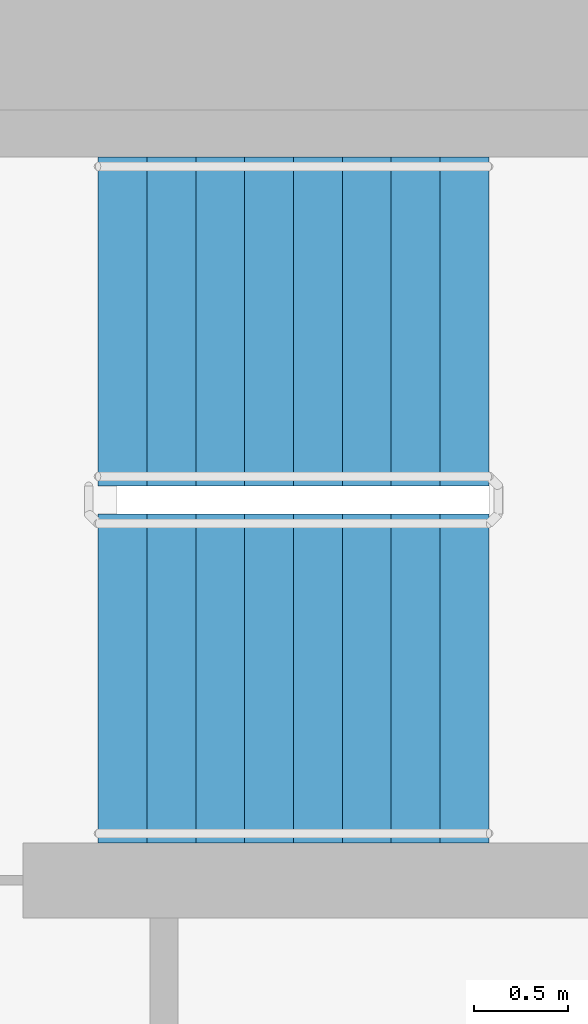
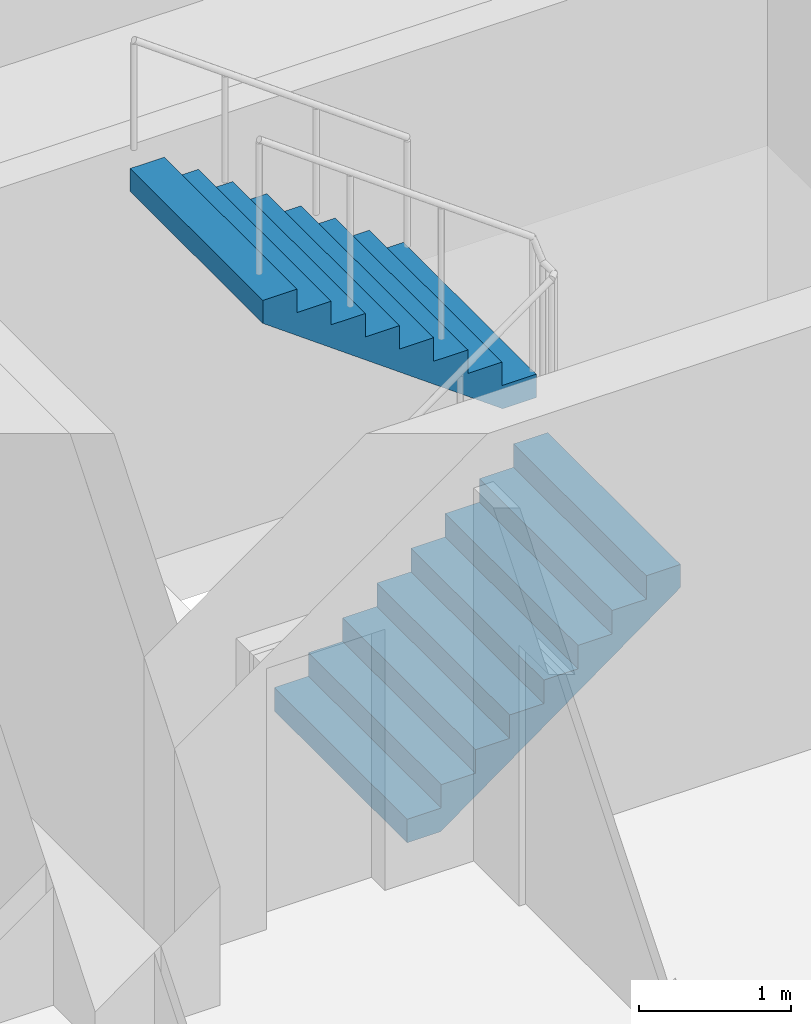
# One storey, part 16 of 21: 2 stair flights, 1 element without a shape of its own.
"""IFC4 building model written with IfcOpenShell, lengths in metres."""

from ifc_helpers import new_model, si_unit, direction, frame, origin, place, context, subcontext, project, spatial, faceted_brep, material, type_object, element, aggregate, save


model = new_model("IFC4")

# Units and contexts
model_context = context("Model", 3, precision=1e-05, world=origin(), true_north=direction((0.0, 1.0)))
body_context = subcontext(model_context, "Body", "Model", "MODEL_VIEW")
ifc_project = project(units=[si_unit("LENGTHUNIT", "METRE"), si_unit("AREAUNIT", "SQUARE_METRE"), si_unit("VOLUMEUNIT", "CUBIC_METRE"), si_unit("PLANEANGLEUNIT", "RADIAN"), si_unit("MASSUNIT", "GRAM", prefix="KILO")], contexts=[model_context])

# Site, building, storey
site_placement = place(None, origin())
site = spatial("IfcSite", under=ifc_project, at=site_placement, CompositionType="ELEMENT")
building_placement = place(site_placement, origin())
building = spatial("IfcBuilding", under=site, at=building_placement, Name="Ipe Terrace Towers", CompositionType="ELEMENT")
storey_placement = place(building_placement, frame((0.0, 0.0, 80.0)))
storey = spatial("IfcBuildingStorey", under=building, at=storey_placement, Name="L21", CompositionType="ELEMENT", Elevation=80.0)

# Stair, stair flights
ifc_material_1 = material(Name="Concrete C30/37", Category="concrete")
stair_type = type_object("IfcStairType", Name="Protected exit stair", PredefinedType="HALF_TURN_STAIR", material=ifc_material_1)
stair_placement = place(storey_placement, origin())
stair = element("IfcStair", 1, at=stair_placement, inside=storey, type_object=stair_type, Name="L21 Exit stair T1-C1", PredefinedType="HALF_TURN_STAIR")
ifc_material_2 = material(Name="Concrete C30/37", Category="concrete")
stair_flight_type = type_object("IfcStairFlightType", Name="Exit stair flight 1750", PredefinedType="STRAIGHT", material=ifc_material_2)
stair_flight_1_placement = place(storey_placement, frame((-26.300048828125, 2.77490234375, 0.0), z_axis=(0.0, 0.0, 1.0), x_axis=(1.0, 0.0, 0.0)))
stair_flight_1 = element("IfcStairFlight", 2, at=stair_flight_1_placement, type_object=stair_flight_type, Name="T1-ST1 flight 1", NumberOfRisers=9, NumberOfTreads=8, PredefinedType="STRAIGHT", RiserHeight=0.188888889, TreadLength=0.26, context=body_context, shape_type="Brep", body=[
    faceted_brep([(0.255126953125, -0.875, 0.0), (2.080078125, -0.875, 1.325927734375), (2.080078125, -0.875, 1.51123046875), (1.820068359375, -0.875, 1.51123046875), (1.820068359375, -0.875, 1.322265625), (1.56005859375, -0.875, 1.322265625), (1.56005859375, -0.875, 1.13330078125), (1.300048828125, -0.875, 1.13330078125), (1.300048828125, -0.875, 0.9443359375), (1.0400390625, -0.875, 0.9443359375), (1.0400390625, -0.875, 0.755615234375), (0.780029296875, -0.875, 0.755615234375), (0.780029296875, -0.875, 0.566650390625), (0.52001953125, -0.875, 0.566650390625), (0.52001953125, -0.875, 0.377685546875), (0.260009765625, -0.875, 0.377685546875), (0.260009765625, -0.875, 0.18896484375), (0.0, -0.875, 0.18896484375), (0.0, -0.875, 0.0), (0.0, 0.875, 0.0), (0.0, 0.875, 0.18896484375), (0.260009765625, 0.875, 0.18896484375), (0.260009765625, 0.875, 0.377685546875), (0.52001953125, 0.875, 0.377685546875), (0.52001953125, 0.875, 0.566650390625), (0.780029296875, 0.875, 0.566650390625), (0.780029296875, 0.875, 0.755615234375), (1.0400390625, 0.875, 0.755615234375), (1.0400390625, 0.875, 0.9443359375), (1.300048828125, 0.875, 0.9443359375), (1.300048828125, 0.875, 1.13330078125), (1.56005859375, 0.875, 1.13330078125), (1.56005859375, 0.875, 1.322265625), (1.820068359375, 0.875, 1.322265625), (1.820068359375, 0.875, 1.51123046875), (2.080078125, 0.875, 1.51123046875), (2.080078125, 0.875, 1.325927734375), (0.255126953125, 0.875, 0.0), (0.0, -0.300048828125, 0.18896484375), (0.0, -0.1201171875, 0.18896484375), (0.0, -0.06005859375, 0.18896484375), (0.0, -0.030029296875, 0.18896484375), (0.0, -0.010009765625, 0.18896484375), (0.0, 0.0, 0.18896484375), (0.0, 0.010009765625, 0.18896484375), (0.0, 0.030029296875, 0.18896484375), (0.0, 0.06005859375, 0.18896484375), (0.0, 0.1201171875, 0.18896484375), (0.0, 0.300048828125, 0.18896484375), (0.0, 0.300048828125, 0.0), (0.0, 0.1201171875, 0.0), (0.0, 0.06005859375, 0.0), (0.0, 0.030029296875, 0.0), (0.0, 0.010009765625, 0.0), (0.0, 0.0, 0.0), (0.0, -0.010009765625, 0.0), (0.0, -0.030029296875, 0.0), (0.0, -0.06005859375, 0.0), (0.0, -0.1201171875, 0.0), (0.0, -0.300048828125, 0.0), (0.260009765625, -0.300048828125, 0.18896484375), (0.260009765625, -0.1201171875, 0.18896484375), (0.260009765625, -0.06005859375, 0.18896484375), (0.260009765625, -0.030029296875, 0.18896484375), (0.260009765625, -0.010009765625, 0.18896484375), (0.260009765625, 0.0, 0.18896484375), (0.260009765625, 0.010009765625, 0.18896484375), (0.260009765625, 0.030029296875, 0.18896484375), (0.260009765625, 0.06005859375, 0.18896484375), (0.260009765625, 0.1201171875, 0.18896484375), (0.260009765625, 0.300048828125, 0.18896484375), (0.260009765625, -0.300048828125, 0.377685546875), (0.260009765625, -0.1201171875, 0.377685546875), (0.260009765625, -0.06005859375, 0.377685546875), (0.260009765625, -0.030029296875, 0.377685546875), (0.260009765625, -0.010009765625, 0.377685546875), (0.260009765625, 0.0, 0.377685546875), (0.260009765625, 0.010009765625, 0.377685546875), (0.260009765625, 0.030029296875, 0.377685546875), (0.260009765625, 0.06005859375, 0.377685546875), (0.260009765625, 0.1201171875, 0.377685546875), (0.260009765625, 0.300048828125, 0.377685546875), (0.52001953125, -0.300048828125, 0.377685546875), (0.52001953125, -0.1201171875, 0.377685546875), (0.52001953125, -0.06005859375, 0.377685546875), (0.52001953125, -0.030029296875, 0.377685546875), (0.52001953125, -0.010009765625, 0.377685546875), (0.52001953125, 0.0, 0.377685546875), (0.52001953125, 0.010009765625, 0.377685546875), (0.52001953125, 0.030029296875, 0.377685546875), (0.52001953125, 0.06005859375, 0.377685546875), (0.52001953125, 0.1201171875, 0.377685546875), (0.52001953125, 0.300048828125, 0.377685546875), (0.52001953125, -0.300048828125, 0.566650390625), (0.52001953125, -0.1201171875, 0.566650390625), (0.52001953125, -0.06005859375, 0.566650390625), (0.52001953125, -0.030029296875, 0.566650390625), (0.52001953125, -0.010009765625, 0.566650390625), (0.52001953125, 0.0, 0.566650390625), (0.52001953125, 0.010009765625, 0.566650390625), (0.52001953125, 0.030029296875, 0.566650390625), (0.52001953125, 0.06005859375, 0.566650390625), (0.52001953125, 0.1201171875, 0.566650390625), (0.52001953125, 0.300048828125, 0.566650390625), (0.780029296875, -0.300048828125, 0.566650390625), (0.780029296875, -0.1201171875, 0.566650390625), (0.780029296875, -0.06005859375, 0.566650390625), (0.780029296875, -0.030029296875, 0.566650390625), (0.780029296875, -0.010009765625, 0.566650390625), (0.780029296875, 0.0, 0.566650390625), (0.780029296875, 0.010009765625, 0.566650390625), (0.780029296875, 0.030029296875, 0.566650390625), (0.780029296875, 0.06005859375, 0.566650390625), (0.780029296875, 0.1201171875, 0.566650390625), (0.780029296875, 0.300048828125, 0.566650390625), (0.780029296875, -0.300048828125, 0.755615234375), (0.780029296875, -0.1201171875, 0.755615234375), (0.780029296875, -0.06005859375, 0.755615234375), (0.780029296875, -0.030029296875, 0.755615234375), (0.780029296875, -0.010009765625, 0.755615234375), (0.780029296875, 0.0, 0.755615234375), (0.780029296875, 0.010009765625, 0.755615234375), (0.780029296875, 0.030029296875, 0.755615234375), (0.780029296875, 0.06005859375, 0.755615234375), (0.780029296875, 0.1201171875, 0.755615234375), (0.780029296875, 0.300048828125, 0.755615234375), (1.0400390625, -0.300048828125, 0.755615234375), (1.0400390625, -0.1201171875, 0.755615234375), (1.0400390625, -0.06005859375, 0.755615234375), (1.0400390625, -0.030029296875, 0.755615234375), (1.0400390625, -0.010009765625, 0.755615234375), (1.0400390625, 0.0, 0.755615234375), (1.0400390625, 0.010009765625, 0.755615234375), (1.0400390625, 0.030029296875, 0.755615234375), (1.0400390625, 0.06005859375, 0.755615234375), (1.0400390625, 0.1201171875, 0.755615234375), (1.0400390625, 0.300048828125, 0.755615234375), (1.0400390625, -0.300048828125, 0.9443359375), (1.0400390625, -0.1201171875, 0.9443359375), (1.0400390625, -0.06005859375, 0.9443359375), (1.0400390625, -0.030029296875, 0.9443359375), (1.0400390625, -0.010009765625, 0.9443359375), (1.0400390625, 0.0, 0.9443359375), (1.0400390625, 0.010009765625, 0.9443359375), (1.0400390625, 0.030029296875, 0.9443359375), (1.0400390625, 0.06005859375, 0.9443359375), (1.0400390625, 0.1201171875, 0.9443359375), (1.0400390625, 0.300048828125, 0.9443359375), (1.300048828125, -0.300048828125, 0.9443359375), (1.300048828125, -0.1201171875, 0.9443359375), (1.300048828125, -0.06005859375, 0.9443359375), (1.300048828125, -0.030029296875, 0.9443359375), (1.300048828125, -0.010009765625, 0.9443359375), (1.300048828125, 0.0, 0.9443359375), (1.300048828125, 0.010009765625, 0.9443359375), (1.300048828125, 0.030029296875, 0.9443359375), (1.300048828125, 0.06005859375, 0.9443359375), (1.300048828125, 0.1201171875, 0.9443359375), (1.300048828125, 0.300048828125, 0.9443359375), (1.300048828125, -0.300048828125, 1.13330078125), (1.300048828125, -0.1201171875, 1.13330078125), (1.300048828125, -0.06005859375, 1.13330078125), (1.300048828125, -0.030029296875, 1.13330078125), (1.300048828125, -0.010009765625, 1.13330078125), (1.300048828125, 0.0, 1.13330078125), (1.300048828125, 0.010009765625, 1.13330078125), (1.300048828125, 0.030029296875, 1.13330078125), (1.300048828125, 0.06005859375, 1.13330078125), (1.300048828125, 0.1201171875, 1.13330078125), (1.300048828125, 0.300048828125, 1.13330078125), (1.56005859375, -0.300048828125, 1.13330078125), (1.56005859375, -0.1201171875, 1.13330078125), (1.56005859375, -0.06005859375, 1.13330078125), (1.56005859375, -0.030029296875, 1.13330078125), (1.56005859375, -0.010009765625, 1.13330078125), (1.56005859375, 0.0, 1.13330078125), (1.56005859375, 0.010009765625, 1.13330078125), (1.56005859375, 0.030029296875, 1.13330078125), (1.56005859375, 0.06005859375, 1.13330078125), (1.56005859375, 0.1201171875, 1.13330078125), (1.56005859375, 0.300048828125, 1.13330078125), (1.56005859375, -0.300048828125, 1.322265625), (1.56005859375, -0.1201171875, 1.322265625), (1.56005859375, -0.06005859375, 1.322265625), (1.56005859375, -0.030029296875, 1.322265625), (1.56005859375, -0.010009765625, 1.322265625), (1.56005859375, 0.0, 1.322265625), (1.56005859375, 0.010009765625, 1.322265625), (1.56005859375, 0.030029296875, 1.322265625), (1.56005859375, 0.06005859375, 1.322265625), (1.56005859375, 0.1201171875, 1.322265625), (1.56005859375, 0.300048828125, 1.322265625), (1.820068359375, -0.300048828125, 1.322265625), (1.820068359375, -0.1201171875, 1.322265625), (1.820068359375, -0.06005859375, 1.322265625), (1.820068359375, -0.030029296875, 1.322265625), (1.820068359375, -0.010009765625, 1.322265625), (1.820068359375, 0.0, 1.322265625), (1.820068359375, 0.010009765625, 1.322265625), (1.820068359375, 0.030029296875, 1.322265625), (1.820068359375, 0.06005859375, 1.322265625), (1.820068359375, 0.1201171875, 1.322265625), (1.820068359375, 0.300048828125, 1.322265625), (1.820068359375, -0.300048828125, 1.51123046875), (1.820068359375, -0.1201171875, 1.51123046875), (1.820068359375, -0.06005859375, 1.51123046875), (1.820068359375, -0.030029296875, 1.51123046875), (1.820068359375, -0.010009765625, 1.51123046875), (1.820068359375, 0.0, 1.51123046875), (1.820068359375, 0.010009765625, 1.51123046875), (1.820068359375, 0.030029296875, 1.51123046875), (1.820068359375, 0.06005859375, 1.51123046875), (1.820068359375, 0.1201171875, 1.51123046875), (1.820068359375, 0.300048828125, 1.51123046875), (2.080078125, -0.300048828125, 1.51123046875), (2.080078125, -0.1201171875, 1.51123046875), (2.080078125, -0.06005859375, 1.51123046875), (2.080078125, -0.030029296875, 1.51123046875), (2.080078125, -0.010009765625, 1.51123046875), (2.080078125, 0.0, 1.51123046875), (2.080078125, 0.010009765625, 1.51123046875), (2.080078125, 0.030029296875, 1.51123046875), (2.080078125, 0.06005859375, 1.51123046875), (2.080078125, 0.1201171875, 1.51123046875), (2.080078125, 0.300048828125, 1.51123046875), (2.080078125, -0.300048828125, 1.325927734375), (2.080078125, -0.1201171875, 1.325927734375), (2.080078125, -0.06005859375, 1.325927734375), (2.080078125, -0.030029296875, 1.325927734375), (2.080078125, -0.010009765625, 1.325927734375), (2.080078125, 0.0, 1.325927734375), (2.080078125, 0.010009765625, 1.325927734375), (2.080078125, 0.030029296875, 1.325927734375), (2.080078125, 0.06005859375, 1.325927734375), (2.080078125, 0.1201171875, 1.325927734375), (2.080078125, 0.300048828125, 1.325927734375), (0.255126953125, -0.300048828125, 0.0), (0.255126953125, -0.1201171875, 0.0), (0.255126953125, -0.06005859375, 0.0), (0.255126953125, -0.030029296875, 0.0), (0.255126953125, -0.010009765625, 0.0), (0.255126953125, 0.0, 0.0), (0.255126953125, 0.010009765625, 0.0), (0.255126953125, 0.030029296875, 0.0), (0.255126953125, 0.06005859375, 0.0), (0.255126953125, 0.1201171875, 0.0), (0.255126953125, 0.300048828125, 0.0)], [[[0, 1, 2, 3, 4, 5, 6, 7, 8, 9, 10, 11, 12, 13, 14, 15, 16, 17, 18]], [[19, 20, 21, 22, 23, 24, 25, 26, 27, 28, 29, 30, 31, 32, 33, 34, 35, 36, 37]], [[17, 38, 39, 40, 41, 42, 43, 44, 45, 46, 47, 48, 20, 19, 49, 50, 51, 52, 53, 54, 55, 56, 57, 58, 59, 18]], [[16, 60, 61, 62, 63, 64, 65, 66, 67, 68, 69, 70, 21, 20, 48, 47, 46, 45, 44, 43, 42, 41, 40, 39, 38, 17]], [[15, 71, 72, 73, 74, 75, 76, 77, 78, 79, 80, 81, 22, 21, 70, 69, 68, 67, 66, 65, 64, 63, 62, 61, 60, 16]], [[14, 82, 83, 84, 85, 86, 87, 88, 89, 90, 91, 92, 23, 22, 81, 80, 79, 78, 77, 76, 75, 74, 73, 72, 71, 15]], [[13, 93, 94, 95, 96, 97, 98, 99, 100, 101, 102, 103, 24, 23, 92, 91, 90, 89, 88, 87, 86, 85, 84, 83, 82, 14]], [[12, 104, 105, 106, 107, 108, 109, 110, 111, 112, 113, 114, 25, 24, 103, 102, 101, 100, 99, 98, 97, 96, 95, 94, 93, 13]], [[11, 115, 116, 117, 118, 119, 120, 121, 122, 123, 124, 125, 26, 25, 114, 113, 112, 111, 110, 109, 108, 107, 106, 105, 104, 12]], [[10, 126, 127, 128, 129, 130, 131, 132, 133, 134, 135, 136, 27, 26, 125, 124, 123, 122, 121, 120, 119, 118, 117, 116, 115, 11]], [[9, 137, 138, 139, 140, 141, 142, 143, 144, 145, 146, 147, 28, 27, 136, 135, 134, 133, 132, 131, 130, 129, 128, 127, 126, 10]], [[8, 148, 149, 150, 151, 152, 153, 154, 155, 156, 157, 158, 29, 28, 147, 146, 145, 144, 143, 142, 141, 140, 139, 138, 137, 9]], [[7, 159, 160, 161, 162, 163, 164, 165, 166, 167, 168, 169, 30, 29, 158, 157, 156, 155, 154, 153, 152, 151, 150, 149, 148, 8]], [[6, 170, 171, 172, 173, 174, 175, 176, 177, 178, 179, 180, 31, 30, 169, 168, 167, 166, 165, 164, 163, 162, 161, 160, 159, 7]], [[5, 181, 182, 183, 184, 185, 186, 187, 188, 189, 190, 191, 32, 31, 180, 179, 178, 177, 176, 175, 174, 173, 172, 171, 170, 6]], [[4, 192, 193, 194, 195, 196, 197, 198, 199, 200, 201, 202, 33, 32, 191, 190, 189, 188, 187, 186, 185, 184, 183, 182, 181, 5]], [[3, 203, 204, 205, 206, 207, 208, 209, 210, 211, 212, 213, 34, 33, 202, 201, 200, 199, 198, 197, 196, 195, 194, 193, 192, 4]], [[2, 214, 215, 216, 217, 218, 219, 220, 221, 222, 223, 224, 35, 34, 213, 212, 211, 210, 209, 208, 207, 206, 205, 204, 203, 3]], [[1, 225, 226, 227, 228, 229, 230, 231, 232, 233, 234, 235, 36, 35, 224, 223, 222, 221, 220, 219, 218, 217, 216, 215, 214, 2]], [[0, 236, 237, 238, 239, 240, 241, 242, 243, 244, 245, 246, 37, 36, 235, 234, 233, 232, 231, 230, 229, 228, 227, 226, 225, 1]], [[18, 59, 58, 57, 56, 55, 54, 53, 52, 51, 50, 49, 19, 37, 246, 245, 244, 243, 242, 241, 240, 239, 238, 237, 236, 0]]]),
])
stair_flight_2_placement = place(storey_placement, frame((-24.219970703125, 4.675048828125, 1.699951171875), z_axis=(0.0, 0.0, 1.0), x_axis=(-1.0, 0.0, 0.0)))
stair_flight_2 = element("IfcStairFlight", 3, at=stair_flight_2_placement, type_object=stair_flight_type, Name="T1-ST1 flight 2", NumberOfRisers=9, NumberOfTreads=8, PredefinedType="STRAIGHT", RiserHeight=0.188888889, TreadLength=0.26, context=body_context, shape_type="Brep", body=[
    faceted_brep([(0.255126953125, -0.875, 0.0), (2.080078125, -0.875, 1.325927734375), (2.080078125, -0.875, 1.51123046875), (1.820068359375, -0.875, 1.51123046875), (1.820068359375, -0.875, 1.322265625), (1.56005859375, -0.875, 1.322265625), (1.56005859375, -0.875, 1.13330078125), (1.300048828125, -0.875, 1.13330078125), (1.300048828125, -0.875, 0.9443359375), (1.0400390625, -0.875, 0.9443359375), (1.0400390625, -0.875, 0.755615234375), (0.780029296875, -0.875, 0.755615234375), (0.780029296875, -0.875, 0.566650390625), (0.52001953125, -0.875, 0.566650390625), (0.52001953125, -0.875, 0.377685546875), (0.260009765625, -0.875, 0.377685546875), (0.260009765625, -0.875, 0.18896484375), (0.0, -0.875, 0.18896484375), (0.0, -0.875, 0.0), (0.0, 0.875, 0.0), (0.0, 0.875, 0.18896484375), (0.260009765625, 0.875, 0.18896484375), (0.260009765625, 0.875, 0.377685546875), (0.52001953125, 0.875, 0.377685546875), (0.52001953125, 0.875, 0.566650390625), (0.780029296875, 0.875, 0.566650390625), (0.780029296875, 0.875, 0.755615234375), (1.0400390625, 0.875, 0.755615234375), (1.0400390625, 0.875, 0.9443359375), (1.300048828125, 0.875, 0.9443359375), (1.300048828125, 0.875, 1.13330078125), (1.56005859375, 0.875, 1.13330078125), (1.56005859375, 0.875, 1.322265625), (1.820068359375, 0.875, 1.322265625), (1.820068359375, 0.875, 1.51123046875), (2.080078125, 0.875, 1.51123046875), (2.080078125, 0.875, 1.325927734375), (0.255126953125, 0.875, 0.0), (0.0, -0.300048828125, 0.18896484375), (0.0, -0.1201171875, 0.18896484375), (0.0, -0.06005859375, 0.18896484375), (0.0, -0.030029296875, 0.18896484375), (0.0, -0.010009765625, 0.18896484375), (0.0, 0.0, 0.18896484375), (0.0, 0.010009765625, 0.18896484375), (0.0, 0.030029296875, 0.18896484375), (0.0, 0.06005859375, 0.18896484375), (0.0, 0.1201171875, 0.18896484375), (0.0, 0.300048828125, 0.18896484375), (0.0, 0.300048828125, 0.0), (0.0, 0.1201171875, 0.0), (0.0, 0.06005859375, 0.0), (0.0, 0.030029296875, 0.0), (0.0, 0.010009765625, 0.0), (0.0, 0.0, 0.0), (0.0, -0.010009765625, 0.0), (0.0, -0.030029296875, 0.0), (0.0, -0.06005859375, 0.0), (0.0, -0.1201171875, 0.0), (0.0, -0.300048828125, 0.0), (0.260009765625, -0.300048828125, 0.18896484375), (0.260009765625, -0.1201171875, 0.18896484375), (0.260009765625, -0.06005859375, 0.18896484375), (0.260009765625, -0.030029296875, 0.18896484375), (0.260009765625, -0.010009765625, 0.18896484375), (0.260009765625, 0.0, 0.18896484375), (0.260009765625, 0.010009765625, 0.18896484375), (0.260009765625, 0.030029296875, 0.18896484375), (0.260009765625, 0.06005859375, 0.18896484375), (0.260009765625, 0.1201171875, 0.18896484375), (0.260009765625, 0.300048828125, 0.18896484375), (0.260009765625, -0.300048828125, 0.377685546875), (0.260009765625, -0.1201171875, 0.377685546875), (0.260009765625, -0.06005859375, 0.377685546875), (0.260009765625, -0.030029296875, 0.377685546875), (0.260009765625, -0.010009765625, 0.377685546875), (0.260009765625, 0.0, 0.377685546875), (0.260009765625, 0.010009765625, 0.377685546875), (0.260009765625, 0.030029296875, 0.377685546875), (0.260009765625, 0.06005859375, 0.377685546875), (0.260009765625, 0.1201171875, 0.377685546875), (0.260009765625, 0.300048828125, 0.377685546875), (0.52001953125, -0.300048828125, 0.377685546875), (0.52001953125, -0.1201171875, 0.377685546875), (0.52001953125, -0.06005859375, 0.377685546875), (0.52001953125, -0.030029296875, 0.377685546875), (0.52001953125, -0.010009765625, 0.377685546875), (0.52001953125, 0.0, 0.377685546875), (0.52001953125, 0.010009765625, 0.377685546875), (0.52001953125, 0.030029296875, 0.377685546875), (0.52001953125, 0.06005859375, 0.377685546875), (0.52001953125, 0.1201171875, 0.377685546875), (0.52001953125, 0.300048828125, 0.377685546875), (0.52001953125, -0.300048828125, 0.566650390625), (0.52001953125, -0.1201171875, 0.566650390625), (0.52001953125, -0.06005859375, 0.566650390625), (0.52001953125, -0.030029296875, 0.566650390625), (0.52001953125, -0.010009765625, 0.566650390625), (0.52001953125, 0.0, 0.566650390625), (0.52001953125, 0.010009765625, 0.566650390625), (0.52001953125, 0.030029296875, 0.566650390625), (0.52001953125, 0.06005859375, 0.566650390625), (0.52001953125, 0.1201171875, 0.566650390625), (0.52001953125, 0.300048828125, 0.566650390625), (0.780029296875, -0.300048828125, 0.566650390625), (0.780029296875, -0.1201171875, 0.566650390625), (0.780029296875, -0.06005859375, 0.566650390625), (0.780029296875, -0.030029296875, 0.566650390625), (0.780029296875, -0.010009765625, 0.566650390625), (0.780029296875, 0.0, 0.566650390625), (0.780029296875, 0.010009765625, 0.566650390625), (0.780029296875, 0.030029296875, 0.566650390625), (0.780029296875, 0.06005859375, 0.566650390625), (0.780029296875, 0.1201171875, 0.566650390625), (0.780029296875, 0.300048828125, 0.566650390625), (0.780029296875, -0.300048828125, 0.755615234375), (0.780029296875, -0.1201171875, 0.755615234375), (0.780029296875, -0.06005859375, 0.755615234375), (0.780029296875, -0.030029296875, 0.755615234375), (0.780029296875, -0.010009765625, 0.755615234375), (0.780029296875, 0.0, 0.755615234375), (0.780029296875, 0.010009765625, 0.755615234375), (0.780029296875, 0.030029296875, 0.755615234375), (0.780029296875, 0.06005859375, 0.755615234375), (0.780029296875, 0.1201171875, 0.755615234375), (0.780029296875, 0.300048828125, 0.755615234375), (1.0400390625, -0.300048828125, 0.755615234375), (1.0400390625, -0.1201171875, 0.755615234375), (1.0400390625, -0.06005859375, 0.755615234375), (1.0400390625, -0.030029296875, 0.755615234375), (1.0400390625, -0.010009765625, 0.755615234375), (1.0400390625, 0.0, 0.755615234375), (1.0400390625, 0.010009765625, 0.755615234375), (1.0400390625, 0.030029296875, 0.755615234375), (1.0400390625, 0.06005859375, 0.755615234375), (1.0400390625, 0.1201171875, 0.755615234375), (1.0400390625, 0.300048828125, 0.755615234375), (1.0400390625, -0.300048828125, 0.9443359375), (1.0400390625, -0.1201171875, 0.9443359375), (1.0400390625, -0.06005859375, 0.9443359375), (1.0400390625, -0.030029296875, 0.9443359375), (1.0400390625, -0.010009765625, 0.9443359375), (1.0400390625, 0.0, 0.9443359375), (1.0400390625, 0.010009765625, 0.9443359375), (1.0400390625, 0.030029296875, 0.9443359375), (1.0400390625, 0.06005859375, 0.9443359375), (1.0400390625, 0.1201171875, 0.9443359375), (1.0400390625, 0.300048828125, 0.9443359375), (1.300048828125, -0.300048828125, 0.9443359375), (1.300048828125, -0.1201171875, 0.9443359375), (1.300048828125, -0.06005859375, 0.9443359375), (1.300048828125, -0.030029296875, 0.9443359375), (1.300048828125, -0.010009765625, 0.9443359375), (1.300048828125, 0.0, 0.9443359375), (1.300048828125, 0.010009765625, 0.9443359375), (1.300048828125, 0.030029296875, 0.9443359375), (1.300048828125, 0.06005859375, 0.9443359375), (1.300048828125, 0.1201171875, 0.9443359375), (1.300048828125, 0.300048828125, 0.9443359375), (1.300048828125, -0.300048828125, 1.13330078125), (1.300048828125, -0.1201171875, 1.13330078125), (1.300048828125, -0.06005859375, 1.13330078125), (1.300048828125, -0.030029296875, 1.13330078125), (1.300048828125, -0.010009765625, 1.13330078125), (1.300048828125, 0.0, 1.13330078125), (1.300048828125, 0.010009765625, 1.13330078125), (1.300048828125, 0.030029296875, 1.13330078125), (1.300048828125, 0.06005859375, 1.13330078125), (1.300048828125, 0.1201171875, 1.13330078125), (1.300048828125, 0.300048828125, 1.13330078125), (1.56005859375, -0.300048828125, 1.13330078125), (1.56005859375, -0.1201171875, 1.13330078125), (1.56005859375, -0.06005859375, 1.13330078125), (1.56005859375, -0.030029296875, 1.13330078125), (1.56005859375, -0.010009765625, 1.13330078125), (1.56005859375, 0.0, 1.13330078125), (1.56005859375, 0.010009765625, 1.13330078125), (1.56005859375, 0.030029296875, 1.13330078125), (1.56005859375, 0.06005859375, 1.13330078125), (1.56005859375, 0.1201171875, 1.13330078125), (1.56005859375, 0.300048828125, 1.13330078125), (1.56005859375, -0.300048828125, 1.322265625), (1.56005859375, -0.1201171875, 1.322265625), (1.56005859375, -0.06005859375, 1.322265625), (1.56005859375, -0.030029296875, 1.322265625), (1.56005859375, -0.010009765625, 1.322265625), (1.56005859375, 0.0, 1.322265625), (1.56005859375, 0.010009765625, 1.322265625), (1.56005859375, 0.030029296875, 1.322265625), (1.56005859375, 0.06005859375, 1.322265625), (1.56005859375, 0.1201171875, 1.322265625), (1.56005859375, 0.300048828125, 1.322265625), (1.820068359375, -0.300048828125, 1.322265625), (1.820068359375, -0.1201171875, 1.322265625), (1.820068359375, -0.06005859375, 1.322265625), (1.820068359375, -0.030029296875, 1.322265625), (1.820068359375, -0.010009765625, 1.322265625), (1.820068359375, 0.0, 1.322265625), (1.820068359375, 0.010009765625, 1.322265625), (1.820068359375, 0.030029296875, 1.322265625), (1.820068359375, 0.06005859375, 1.322265625), (1.820068359375, 0.1201171875, 1.322265625), (1.820068359375, 0.300048828125, 1.322265625), (1.820068359375, -0.300048828125, 1.51123046875), (1.820068359375, -0.1201171875, 1.51123046875), (1.820068359375, -0.06005859375, 1.51123046875), (1.820068359375, -0.030029296875, 1.51123046875), (1.820068359375, -0.010009765625, 1.51123046875), (1.820068359375, 0.0, 1.51123046875), (1.820068359375, 0.010009765625, 1.51123046875), (1.820068359375, 0.030029296875, 1.51123046875), (1.820068359375, 0.06005859375, 1.51123046875), (1.820068359375, 0.1201171875, 1.51123046875), (1.820068359375, 0.300048828125, 1.51123046875), (2.080078125, -0.300048828125, 1.51123046875), (2.080078125, -0.1201171875, 1.51123046875), (2.080078125, -0.06005859375, 1.51123046875), (2.080078125, -0.030029296875, 1.51123046875), (2.080078125, -0.010009765625, 1.51123046875), (2.080078125, 0.0, 1.51123046875), (2.080078125, 0.010009765625, 1.51123046875), (2.080078125, 0.030029296875, 1.51123046875), (2.080078125, 0.06005859375, 1.51123046875), (2.080078125, 0.1201171875, 1.51123046875), (2.080078125, 0.300048828125, 1.51123046875), (2.080078125, -0.300048828125, 1.325927734375), (2.080078125, -0.1201171875, 1.325927734375), (2.080078125, -0.06005859375, 1.325927734375), (2.080078125, -0.030029296875, 1.325927734375), (2.080078125, -0.010009765625, 1.325927734375), (2.080078125, 0.0, 1.325927734375), (2.080078125, 0.010009765625, 1.325927734375), (2.080078125, 0.030029296875, 1.325927734375), (2.080078125, 0.06005859375, 1.325927734375), (2.080078125, 0.1201171875, 1.325927734375), (2.080078125, 0.300048828125, 1.325927734375), (0.255126953125, -0.300048828125, 0.0), (0.255126953125, -0.1201171875, 0.0), (0.255126953125, -0.06005859375, 0.0), (0.255126953125, -0.030029296875, 0.0), (0.255126953125, -0.010009765625, 0.0), (0.255126953125, 0.0, 0.0), (0.255126953125, 0.010009765625, 0.0), (0.255126953125, 0.030029296875, 0.0), (0.255126953125, 0.06005859375, 0.0), (0.255126953125, 0.1201171875, 0.0), (0.255126953125, 0.300048828125, 0.0)], [[[0, 1, 2, 3, 4, 5, 6, 7, 8, 9, 10, 11, 12, 13, 14, 15, 16, 17, 18]], [[19, 20, 21, 22, 23, 24, 25, 26, 27, 28, 29, 30, 31, 32, 33, 34, 35, 36, 37]], [[17, 38, 39, 40, 41, 42, 43, 44, 45, 46, 47, 48, 20, 19, 49, 50, 51, 52, 53, 54, 55, 56, 57, 58, 59, 18]], [[16, 60, 61, 62, 63, 64, 65, 66, 67, 68, 69, 70, 21, 20, 48, 47, 46, 45, 44, 43, 42, 41, 40, 39, 38, 17]], [[15, 71, 72, 73, 74, 75, 76, 77, 78, 79, 80, 81, 22, 21, 70, 69, 68, 67, 66, 65, 64, 63, 62, 61, 60, 16]], [[14, 82, 83, 84, 85, 86, 87, 88, 89, 90, 91, 92, 23, 22, 81, 80, 79, 78, 77, 76, 75, 74, 73, 72, 71, 15]], [[13, 93, 94, 95, 96, 97, 98, 99, 100, 101, 102, 103, 24, 23, 92, 91, 90, 89, 88, 87, 86, 85, 84, 83, 82, 14]], [[12, 104, 105, 106, 107, 108, 109, 110, 111, 112, 113, 114, 25, 24, 103, 102, 101, 100, 99, 98, 97, 96, 95, 94, 93, 13]], [[11, 115, 116, 117, 118, 119, 120, 121, 122, 123, 124, 125, 26, 25, 114, 113, 112, 111, 110, 109, 108, 107, 106, 105, 104, 12]], [[10, 126, 127, 128, 129, 130, 131, 132, 133, 134, 135, 136, 27, 26, 125, 124, 123, 122, 121, 120, 119, 118, 117, 116, 115, 11]], [[9, 137, 138, 139, 140, 141, 142, 143, 144, 145, 146, 147, 28, 27, 136, 135, 134, 133, 132, 131, 130, 129, 128, 127, 126, 10]], [[8, 148, 149, 150, 151, 152, 153, 154, 155, 156, 157, 158, 29, 28, 147, 146, 145, 144, 143, 142, 141, 140, 139, 138, 137, 9]], [[7, 159, 160, 161, 162, 163, 164, 165, 166, 167, 168, 169, 30, 29, 158, 157, 156, 155, 154, 153, 152, 151, 150, 149, 148, 8]], [[6, 170, 171, 172, 173, 174, 175, 176, 177, 178, 179, 180, 31, 30, 169, 168, 167, 166, 165, 164, 163, 162, 161, 160, 159, 7]], [[5, 181, 182, 183, 184, 185, 186, 187, 188, 189, 190, 191, 32, 31, 180, 179, 178, 177, 176, 175, 174, 173, 172, 171, 170, 6]], [[4, 192, 193, 194, 195, 196, 197, 198, 199, 200, 201, 202, 33, 32, 191, 190, 189, 188, 187, 186, 185, 184, 183, 182, 181, 5]], [[3, 203, 204, 205, 206, 207, 208, 209, 210, 211, 212, 213, 34, 33, 202, 201, 200, 199, 198, 197, 196, 195, 194, 193, 192, 4]], [[2, 214, 215, 216, 217, 218, 219, 220, 221, 222, 223, 224, 35, 34, 213, 212, 211, 210, 209, 208, 207, 206, 205, 204, 203, 3]], [[1, 225, 226, 227, 228, 229, 230, 231, 232, 233, 234, 235, 36, 35, 224, 223, 222, 221, 220, 219, 218, 217, 216, 215, 214, 2]], [[0, 236, 237, 238, 239, 240, 241, 242, 243, 244, 245, 246, 37, 36, 235, 234, 233, 232, 231, 230, 229, 228, 227, 226, 225, 1]], [[18, 59, 58, 57, 56, 55, 54, 53, 52, 51, 50, 49, 19, 37, 246, 245, 244, 243, 242, 241, 240, 239, 238, 237, 236, 0]]]),
])
aggregate(stair, [stair_flight_1, stair_flight_2])

save(model, "model.ifc")
